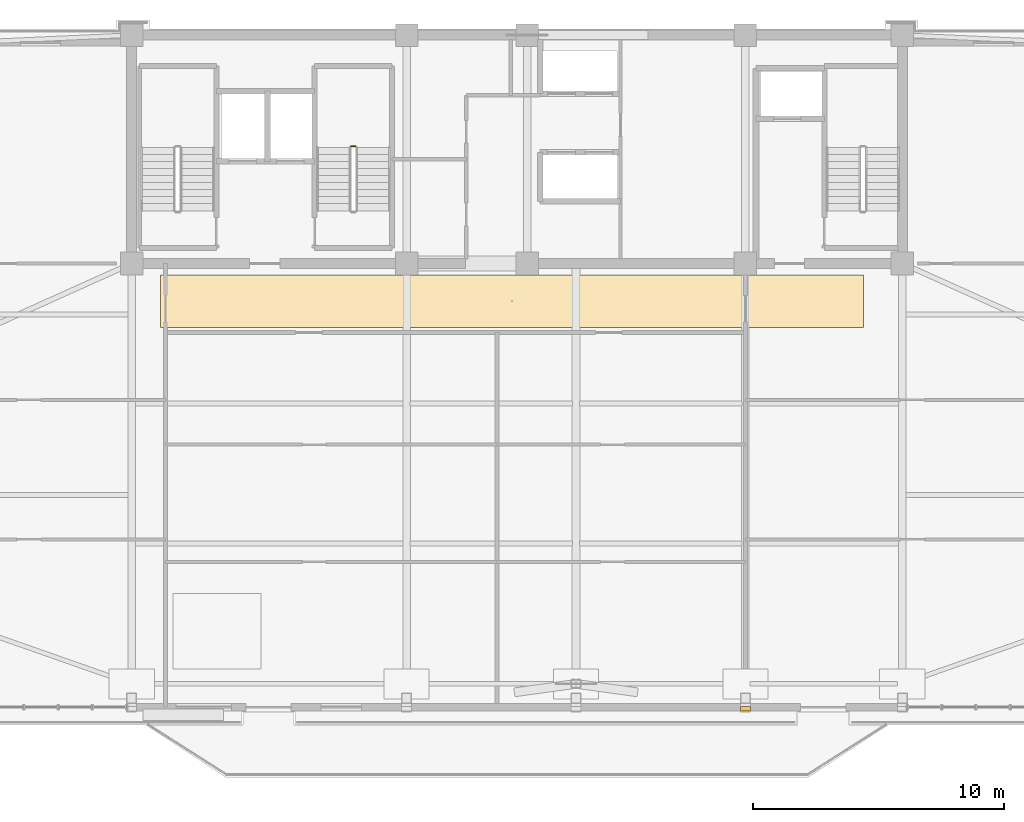
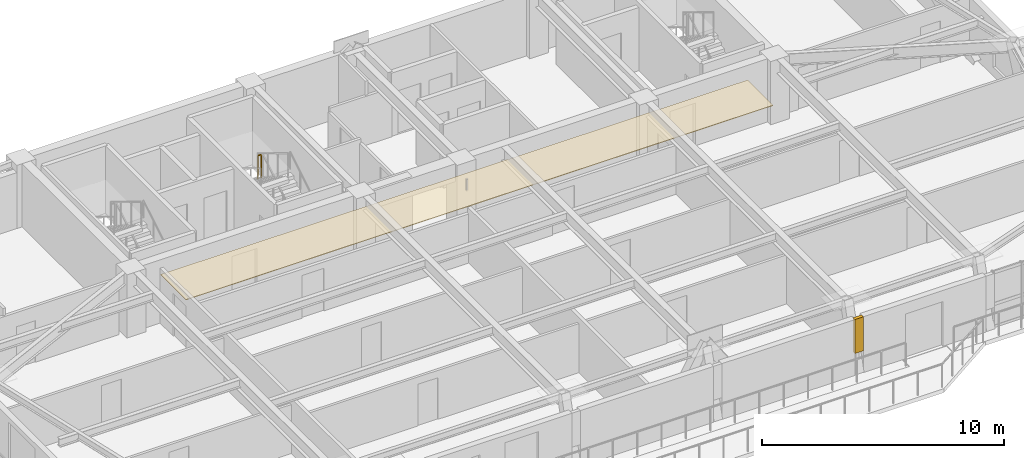
# One storey, part 13 of 14: 2 coverings, 1 railing.
"""IFC4 building model written with IfcOpenShell, lengths in metres."""

from ifc_helpers import new_model, si_unit, direction, frame, origin, origin_2d, place, context, subcontext, project, spatial, polyline, rectangle, outline, extrude, material, layer, layer_set, type_object, element, save


model = new_model("IFC4")

# Units and contexts
model_context = context("Model", 3, precision=1e-05, world=origin(), true_north=direction((0.0, 1.0)))
body_context = subcontext(model_context, "Body", "Model", "MODEL_VIEW")
ifc_project = project(units=[si_unit("LENGTHUNIT", "METRE"), si_unit("AREAUNIT", "SQUARE_METRE"), si_unit("VOLUMEUNIT", "CUBIC_METRE"), si_unit("PLANEANGLEUNIT", "RADIAN"), si_unit("MASSUNIT", "GRAM", prefix="KILO")], contexts=[model_context])

# Site, building, storey
site_placement = place(None, origin())
site = spatial("IfcSite", under=ifc_project, at=site_placement, CompositionType="ELEMENT")
building_placement = place(site_placement, origin())
building = spatial("IfcBuilding", under=site, at=building_placement, Name="Giltprow Tower", CompositionType="ELEMENT")
storey_placement = place(building_placement, frame((0.0, 0.0, 310.800048828125)))
storey = spatial("IfcBuildingStorey", under=building, at=storey_placement, Name="L80", CompositionType="ELEMENT", Elevation=310.800048828125)

# Coverings
ifc_material_1 = material(Name="Painted gypsum board", Category="gypsum")
ifc_layer_1 = layer(ifc_material_1, 0.030029296875, Name="Painted gypsum board")
ifc_layer_set_1 = layer_set([ifc_layer_1], Name="Painted gypsum board")
covering_type_1 = type_object("IfcCoveringType", Name="COV-CLG-GYPSUM", PredefinedType="CEILING", material=ifc_layer_set_1)
covering_1_placement = place(storey_placement, frame((0.0, 0.0, 2.619873046875)))
element("IfcCovering", 1, at=covering_1_placement, inside=storey, type_object=covering_type_1, Name="L80 Residence Gallery Ceiling", PredefinedType="CEILING", context=body_context, shape_type="SweptSolid", body=[
    extrude(outline(polyline([(21.0, 34.89990234375), (49.0, 34.89990234375), (49.0, 37.0), (21.0, 37.0), (21.0, 34.89990234375)])), origin(), (0.0, 0.0, 1.0), 0.030029296875),
])
ifc_material_2 = material(Name="Anodized bronze", Category="metal")
ifc_layer_2 = layer(ifc_material_2, 0.0400390625, Name="Anodized bronze")
ifc_layer_set_2 = layer_set([ifc_layer_2], Name="Anodized bronze")
covering_type_2 = type_object("IfcCoveringType", Name="COV-SOFFIT-BRONZE", PredefinedType="CLADDING", material=ifc_layer_set_2)
covering_2_placement = place(storey_placement, frame((0.0, 0.0, 1.099853515625)))
element("IfcCovering", 2, at=covering_2_placement, inside=storey, type_object=covering_type_2, Name="L80 Setback Pier Closure Cladding S-4", PredefinedType="CLADDING", context=body_context, shape_type="SweptSolid", body=[
    extrude(outline(polyline([(44.10009765625, 19.632080078125), (44.5, 19.632080078125), (44.5, 19.7919921875), (44.10009765625, 19.7919921875), (44.10009765625, 19.632080078125)])), origin(), (0.0, 0.0, 1.0), 1.715087890625),
])

# Railing
railing_type = type_object("IfcRailingType", Name="RAIL-STAIR-GUARD-1200", PredefinedType="GUARDRAIL", material=ifc_material_2)
railing_placement = place(storey_placement, frame((28.760009765625, 42.1201171875, 1.699951171875)))
element("IfcRailing", 3, at=railing_placement, inside=storey, type_object=railing_type, Name="L80 ST-2 stair guard 2", PredefinedType="GUARDRAIL", context=body_context, shape_type="SweptSolid", body=[
    extrude(rectangle(XDim=0.048095703125, YDim=0.048095703125, at=origin_2d()), frame((0.0, 0.0, 1.17578125), z_axis=(-1.0, 0.0, 0.0), x_axis=(0.0, -1.0, 0.0)), (0.0, 0.0, 1.0), 0.159912109375),
    extrude(rectangle(XDim=0.0419921875, YDim=0.0419921875, at=origin_2d()), origin(), (0.0, 0.0, 1.0), 1.15185546875),
    extrude(rectangle(XDim=0.0419921875, YDim=0.0419921875, at=origin_2d()), frame((-0.159912109375, 0.0, 0.0)), (0.0, 0.0, 1.0), 1.15185546875),
])

save(model, "model.ifc")
